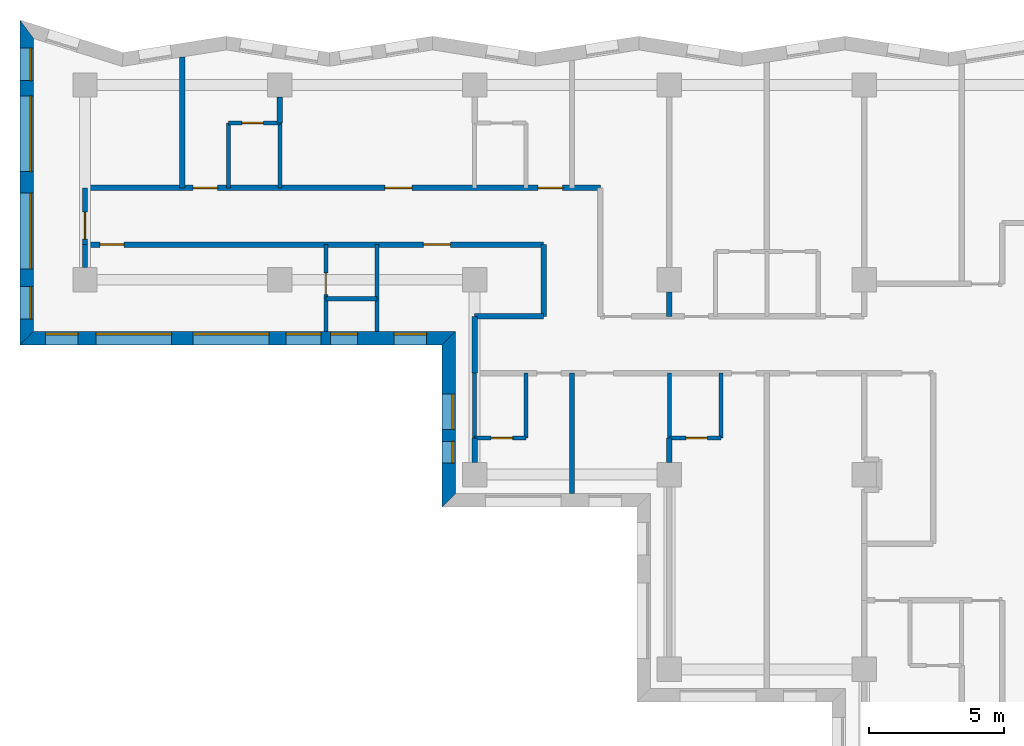
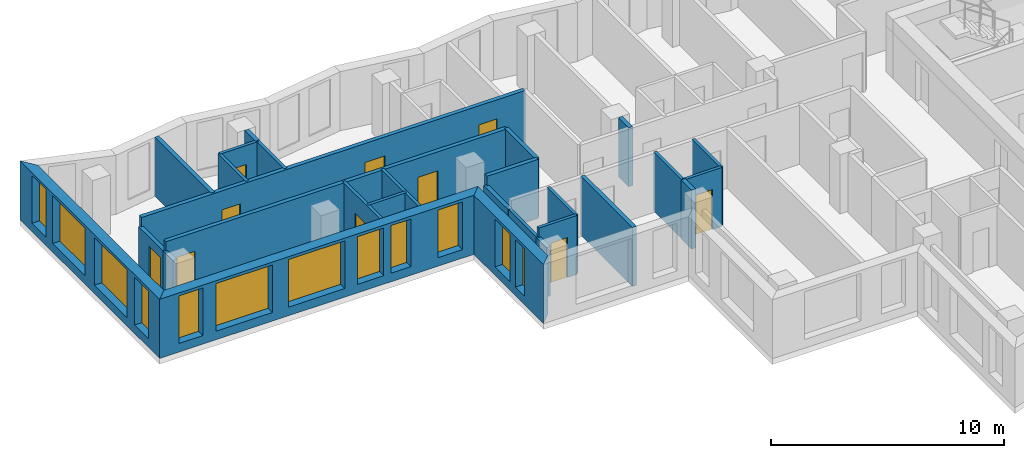
# One storey, part 4 of 12: 28 walls, 12 windows, 10 doors, 22 openings.
"""IFC4 building model written with IfcOpenShell, lengths in metres."""

from ifc_helpers import new_model, si_unit, direction, frame, frame_2d, origin, place, context, subcontext, project, spatial, polyline, rectangle, outline, extrude, material, layer, layer_set, type_object, element, fill, save


model = new_model("IFC4")

# Units and contexts
model_context = context("Model", 3, precision=1e-05, world=origin(), true_north=direction((0.0, 1.0)))
body_context = subcontext(model_context, "Body", "Model", "MODEL_VIEW")
ifc_project = project(units=[si_unit("LENGTHUNIT", "METRE"), si_unit("AREAUNIT", "SQUARE_METRE"), si_unit("VOLUMEUNIT", "CUBIC_METRE"), si_unit("PLANEANGLEUNIT", "RADIAN"), si_unit("MASSUNIT", "GRAM", prefix="KILO")], contexts=[model_context])

# Site, building, storey
site_placement = place(None, origin())
site = spatial("IfcSite", under=ifc_project, at=site_placement, CompositionType="ELEMENT")
building_placement = place(site_placement, origin())
building = spatial("IfcBuilding", under=site, at=building_placement, Name="Windrow Commons", CompositionType="ELEMENT")
storey_placement = place(building_placement, frame((0.0, 0.0, 169.4)))
storey = spatial("IfcBuildingStorey", under=building, at=storey_placement, Name="L46", CompositionType="ELEMENT", Elevation=169.4)

# Wall, openings, windows
ifc_material_1 = material(Name="Brick masonry, red clay brick", Category="masonry")
ifc_layer_1 = layer(ifc_material_1, 0.5)
ifc_layer_set_1 = layer_set([ifc_layer_1], Name="Brick facade wall 500")
wall_type_1 = type_object("IfcWallType", Name="Brick facade wall 500", PredefinedType="SOLIDWALL", material=ifc_layer_set_1)
wall_1_placement = place(storey_placement, frame((19.447, 74.062, 0.0), z_axis=(0.0, 0.0, 1.0), x_axis=(0.0, -1.0, 0.0)))
wall_1 = element("IfcWall", 1, at=wall_1_placement, inside=storey, type_object=wall_type_1, Name="Brick facade wall L46 35", PredefinedType="SOLIDWALL", context=body_context, shape_type="SweptSolid", body=[
    extrude(outline(polyline([(-0.341, -0.25), (11.665, -0.25), (11.165, 0.25), (0.341, 0.25), (-0.341, -0.25)])), origin(), (0.0, 0.0, 1.0), 3.1),
])
opening_1_placement = place(wall_1_placement, frame((2.462, 0.0, 0.45)))
opening_1 = element("IfcOpeningElement", 2, at=opening_1_placement, cuts=wall_1, Name="Opening W1U", PredefinedType="OPENING", context=body_context, shape_type="SweptSolid", body=[
    extrude(rectangle(XDim=2.8, YDim=2.5, at=frame_2d((1.4, 1.25))), frame((0.0, 0.26, 0.0), z_axis=(0.0, -1.0, 0.0), x_axis=(1.0, 0.0, 0.0)), (0.0, 0.0, 1.0), 0.52),
])
opening_2_placement = place(wall_1_placement, frame((6.062, 0.0, 0.45)))
opening_2 = element("IfcOpeningElement", 3, at=opening_2_placement, cuts=wall_1, Name="Opening W1U", PredefinedType="OPENING", context=body_context, shape_type="SweptSolid", body=[
    extrude(rectangle(XDim=2.8, YDim=2.5, at=frame_2d((1.4, 1.25))), frame((0.0, 0.26, 0.0), z_axis=(0.0, -1.0, 0.0), x_axis=(1.0, 0.0, 0.0)), (0.0, 0.0, 1.0), 0.52),
])
opening_3_placement = place(wall_1_placement, frame((0.7015, 0.0, 0.45)))
opening_3 = element("IfcOpeningElement", 4, at=opening_3_placement, cuts=wall_1, Name="Opening W7E", PredefinedType="OPENING", context=body_context, shape_type="SweptSolid", body=[
    extrude(rectangle(XDim=1.2, YDim=2.5, at=frame_2d((0.6, 1.25))), frame((0.0, 0.26, 0.0), z_axis=(0.0, -1.0, 0.0), x_axis=(1.0, 0.0, 0.0)), (0.0, 0.0, 1.0), 0.52),
])
opening_4_placement = place(wall_1_placement, frame((9.5135, 0.0, 0.45)))
opening_4 = element("IfcOpeningElement", 5, at=opening_4_placement, cuts=wall_1, Name="Opening W7E", PredefinedType="OPENING", context=body_context, shape_type="SweptSolid", body=[
    extrude(rectangle(XDim=1.2, YDim=2.5, at=frame_2d((0.6, 1.25))), frame((0.0, 0.26, 0.0), z_axis=(0.0, -1.0, 0.0), x_axis=(1.0, 0.0, 0.0)), (0.0, 0.0, 1.0), 0.52),
])
ifc_material_2 = material(Name="Clear float glass in anodised aluminium frame", Category="aluminium")
window_type_1 = type_object("IfcWindowType", Name="Window W1U bedroom 2800x2500", PartitioningType="SINGLE_PANEL", PredefinedType="WINDOW", material=ifc_material_2)
window_1_placement = place(opening_1_placement, origin())
window_1 = element("IfcWindow", 6, at=window_1_placement, inside=storey, type_object=window_type_1, Name="Window L46 35.1", OverallHeight=2.5, OverallWidth=2.8, PartitioningType="SINGLE_PANEL", PredefinedType="WINDOW", context=body_context, shape_type="SweptSolid", body=[
    extrude(rectangle(XDim=2.8, YDim=2.5, at=frame_2d((1.4, 1.25))), frame((0.0, 0.18, 0.0), z_axis=(0.0, -1.0, 0.0), x_axis=(1.0, 0.0, 0.0)), (0.0, 0.0, 1.0), 0.06),
])
fill(opening_1, window_1)
window_2_placement = place(opening_2_placement, origin())
window_2 = element("IfcWindow", 7, at=window_2_placement, inside=storey, type_object=window_type_1, Name="Window L46 35.2", OverallHeight=2.5, OverallWidth=2.8, PartitioningType="SINGLE_PANEL", PredefinedType="WINDOW", context=body_context, shape_type="SweptSolid", body=[
    extrude(rectangle(XDim=2.8, YDim=2.5, at=frame_2d((1.4, 1.25))), frame((0.0, 0.18, 0.0), z_axis=(0.0, -1.0, 0.0), x_axis=(1.0, 0.0, 0.0)), (0.0, 0.0, 1.0), 0.06),
])
fill(opening_2, window_2)
ifc_material_3 = material(Name="Clear float glass in anodised aluminium frame", Category="aluminium")
window_type_2 = type_object("IfcWindowType", Name="Window W7 notch 1200x2500", PartitioningType="SINGLE_PANEL", PredefinedType="WINDOW", material=ifc_material_3)
window_3_placement = place(opening_3_placement, origin())
window_3 = element("IfcWindow", 8, at=window_3_placement, inside=storey, type_object=window_type_2, Name="Window L46 35.3", OverallHeight=2.5, OverallWidth=1.2, PartitioningType="SINGLE_PANEL", PredefinedType="WINDOW", context=body_context, shape_type="SweptSolid", body=[
    extrude(rectangle(XDim=1.2, YDim=2.5, at=frame_2d((0.6, 1.25))), frame((0.0, 0.18, 0.0), z_axis=(0.0, -1.0, 0.0), x_axis=(1.0, 0.0, 0.0)), (0.0, 0.0, 1.0), 0.06),
])
fill(opening_3, window_3)
window_4_placement = place(opening_4_placement, origin())
window_4 = element("IfcWindow", 9, at=window_4_placement, inside=storey, type_object=window_type_2, Name="Window L46 35.4", OverallHeight=2.5, OverallWidth=1.2, PartitioningType="SINGLE_PANEL", PredefinedType="WINDOW", context=body_context, shape_type="SweptSolid", body=[
    extrude(rectangle(XDim=1.2, YDim=2.5, at=frame_2d((0.6, 1.25))), frame((0.0, 0.18, 0.0), z_axis=(0.0, -1.0, 0.0), x_axis=(1.0, 0.0, 0.0)), (0.0, 0.0, 1.0), 0.06),
])
fill(opening_4, window_4)

wall_2_placement = place(storey_placement, frame((19.447, 62.647, 0.0), z_axis=(0.0, 0.0, 1.0), x_axis=(1.0, 0.0, 0.0)))
wall_2 = element("IfcWall", 10, at=wall_2_placement, inside=storey, type_object=wall_type_1, Name="Brick facade wall L46 36", PredefinedType="SOLIDWALL", context=body_context, shape_type="SweptSolid", body=[
    extrude(outline(polyline([(-0.25, -0.25), (15.353, -0.25), (15.853, 0.25), (0.25, 0.25), (-0.25, -0.25)])), origin(), (0.0, 0.0, 1.0), 3.1),
])
opening_5_placement = place(wall_2_placement, frame((2.553, 0.0, 0.45)))
opening_5 = element("IfcOpeningElement", 11, at=opening_5_placement, cuts=wall_2, Name="Opening W1U", PredefinedType="OPENING", context=body_context, shape_type="SweptSolid", body=[
    extrude(rectangle(XDim=2.8, YDim=2.5, at=frame_2d((1.4, 1.25))), frame((0.0, 0.26, 0.0), z_axis=(0.0, -1.0, 0.0), x_axis=(1.0, 0.0, 0.0)), (0.0, 0.0, 1.0), 0.52),
])
opening_6_placement = place(wall_2_placement, frame((6.153, 0.0, 0.45)))
opening_6 = element("IfcOpeningElement", 12, at=opening_6_placement, cuts=wall_2, Name="Opening W1U", PredefinedType="OPENING", context=body_context, shape_type="SweptSolid", body=[
    extrude(rectangle(XDim=2.8, YDim=2.5, at=frame_2d((1.4, 1.25))), frame((0.0, 0.26, 0.0), z_axis=(0.0, -1.0, 0.0), x_axis=(1.0, 0.0, 0.0)), (0.0, 0.0, 1.0), 0.52),
])
opening_7_placement = place(wall_2_placement, frame((0.7015, 0.0, 0.45)))
opening_7 = element("IfcOpeningElement", 13, at=opening_7_placement, cuts=wall_2, Name="Opening W7E", PredefinedType="OPENING", context=body_context, shape_type="SweptSolid", body=[
    extrude(rectangle(XDim=1.2, YDim=2.5, at=frame_2d((0.6, 1.25))), frame((0.0, 0.26, 0.0), z_axis=(0.0, -1.0, 0.0), x_axis=(1.0, 0.0, 0.0)), (0.0, 0.0, 1.0), 0.52),
])
opening_8_placement = place(wall_2_placement, frame((13.578, 0.0, 0.45)))
opening_8 = element("IfcOpeningElement", 14, at=opening_8_placement, cuts=wall_2, Name="Opening W7E", PredefinedType="OPENING", context=body_context, shape_type="SweptSolid", body=[
    extrude(rectangle(XDim=1.2, YDim=2.5, at=frame_2d((0.6, 1.25))), frame((0.0, 0.26, 0.0), z_axis=(0.0, -1.0, 0.0), x_axis=(1.0, 0.0, 0.0)), (0.0, 0.0, 1.0), 0.52),
])
opening_9_placement = place(wall_2_placement, frame((9.578, 0.0, 0.45)))
opening_9 = element("IfcOpeningElement", 15, at=opening_9_placement, cuts=wall_2, Name="Opening W1Q", PredefinedType="OPENING", context=body_context, shape_type="SweptSolid", body=[
    extrude(rectangle(XDim=1.3, YDim=2.5, at=frame_2d((0.65, 1.25))), frame((0.0, 0.26, 0.0), z_axis=(0.0, -1.0, 0.0), x_axis=(1.0, 0.0, 0.0)), (0.0, 0.0, 1.0), 0.52),
])
opening_10_placement = place(wall_2_placement, frame((11.228, 0.0, 0.45)))
opening_10 = element("IfcOpeningElement", 16, at=opening_10_placement, cuts=wall_2, Name="Opening W1S", PredefinedType="OPENING", context=body_context, shape_type="SweptSolid", body=[
    extrude(rectangle(XDim=1.0, YDim=2.5, at=frame_2d((0.5, 1.25))), frame((0.0, 0.26, 0.0), z_axis=(0.0, -1.0, 0.0), x_axis=(1.0, 0.0, 0.0)), (0.0, 0.0, 1.0), 0.52),
])
ifc_material_4 = material(Name="Clear float glass in anodised aluminium frame", Category="aluminium")
window_type_3 = type_object("IfcWindowType", Name="Window W1Q pair 1300x2500", PartitioningType="SINGLE_PANEL", PredefinedType="WINDOW", material=ifc_material_4)
window_5_placement = place(opening_9_placement, origin())
window_5 = element("IfcWindow", 17, at=window_5_placement, inside=storey, type_object=window_type_3, Name="Window L46 36.3A", OverallHeight=2.5, OverallWidth=1.3, PartitioningType="SINGLE_PANEL", PredefinedType="WINDOW", context=body_context, shape_type="SweptSolid", body=[
    extrude(rectangle(XDim=1.3, YDim=2.5, at=frame_2d((0.65, 1.25))), frame((0.0, 0.18, 0.0), z_axis=(0.0, -1.0, 0.0), x_axis=(1.0, 0.0, 0.0)), (0.0, 0.0, 1.0), 0.06),
])
fill(opening_9, window_5)
ifc_material_5 = material(Name="Clear float glass in anodised aluminium frame", Category="aluminium")
window_type_4 = type_object("IfcWindowType", Name="Window W1S slit 1000x2500", PartitioningType="SINGLE_PANEL", PredefinedType="WINDOW", material=ifc_material_5)
window_6_placement = place(opening_10_placement, origin())
window_6 = element("IfcWindow", 18, at=window_6_placement, inside=storey, type_object=window_type_4, Name="Window L46 36.3B", OverallHeight=2.5, OverallWidth=1.0, PartitioningType="SINGLE_PANEL", PredefinedType="WINDOW", context=body_context, shape_type="SweptSolid", body=[
    extrude(rectangle(XDim=1.0, YDim=2.5, at=frame_2d((0.5, 1.25))), frame((0.0, 0.18, 0.0), z_axis=(0.0, -1.0, 0.0), x_axis=(1.0, 0.0, 0.0)), (0.0, 0.0, 1.0), 0.06),
])
fill(opening_10, window_6)
window_7_placement = place(opening_5_placement, origin())
window_7 = element("IfcWindow", 19, at=window_7_placement, inside=storey, type_object=window_type_1, Name="Window L46 36.1", OverallHeight=2.5, OverallWidth=2.8, PartitioningType="SINGLE_PANEL", PredefinedType="WINDOW", context=body_context, shape_type="SweptSolid", body=[
    extrude(rectangle(XDim=2.8, YDim=2.5, at=frame_2d((1.4, 1.25))), frame((0.0, 0.18, 0.0), z_axis=(0.0, -1.0, 0.0), x_axis=(1.0, 0.0, 0.0)), (0.0, 0.0, 1.0), 0.06),
])
fill(opening_5, window_7)
window_8_placement = place(opening_6_placement, origin())
window_8 = element("IfcWindow", 20, at=window_8_placement, inside=storey, type_object=window_type_1, Name="Window L46 36.2", OverallHeight=2.5, OverallWidth=2.8, PartitioningType="SINGLE_PANEL", PredefinedType="WINDOW", context=body_context, shape_type="SweptSolid", body=[
    extrude(rectangle(XDim=2.8, YDim=2.5, at=frame_2d((1.4, 1.25))), frame((0.0, 0.18, 0.0), z_axis=(0.0, -1.0, 0.0), x_axis=(1.0, 0.0, 0.0)), (0.0, 0.0, 1.0), 0.06),
])
fill(opening_6, window_8)
window_9_placement = place(opening_7_placement, origin())
window_9 = element("IfcWindow", 21, at=window_9_placement, inside=storey, type_object=window_type_2, Name="Window L46 36.4", OverallHeight=2.5, OverallWidth=1.2, PartitioningType="SINGLE_PANEL", PredefinedType="WINDOW", context=body_context, shape_type="SweptSolid", body=[
    extrude(rectangle(XDim=1.2, YDim=2.5, at=frame_2d((0.6, 1.25))), frame((0.0, 0.18, 0.0), z_axis=(0.0, -1.0, 0.0), x_axis=(1.0, 0.0, 0.0)), (0.0, 0.0, 1.0), 0.06),
])
fill(opening_7, window_9)
window_10_placement = place(opening_8_placement, origin())
window_10 = element("IfcWindow", 22, at=window_10_placement, inside=storey, type_object=window_type_2, Name="Window L46 36.5", OverallHeight=2.5, OverallWidth=1.2, PartitioningType="SINGLE_PANEL", PredefinedType="WINDOW", context=body_context, shape_type="SweptSolid", body=[
    extrude(rectangle(XDim=1.2, YDim=2.5, at=frame_2d((0.6, 1.25))), frame((0.0, 0.18, 0.0), z_axis=(0.0, -1.0, 0.0), x_axis=(1.0, 0.0, 0.0)), (0.0, 0.0, 1.0), 0.06),
])
fill(opening_8, window_10)

wall_3_placement = place(storey_placement, frame((35.05, 62.647, 0.0), z_axis=(0.0, 0.0, 1.0), x_axis=(0.0, -1.0, 0.0)))
wall_3 = element("IfcWall", 23, at=wall_3_placement, inside=storey, type_object=wall_type_1, Name="Brick facade wall L46 37", PredefinedType="SOLIDWALL", context=body_context, shape_type="SweptSolid", body=[
    extrude(outline(polyline([(0.25, -0.25), (6.247, -0.25), (5.747, 0.25), (-0.25, 0.25), (0.25, -0.25)])), origin(), (0.0, 0.0, 1.0), 3.1),
])
opening_11_placement = place(wall_3_placement, frame((2.072, 0.0, 0.45)))
opening_11 = element("IfcOpeningElement", 24, at=opening_11_placement, cuts=wall_3, Name="Opening W1Q", PredefinedType="OPENING", context=body_context, shape_type="SweptSolid", body=[
    extrude(rectangle(XDim=1.3, YDim=2.5, at=frame_2d((0.65, 1.25))), frame((0.0, 0.26, 0.0), z_axis=(0.0, -1.0, 0.0), x_axis=(1.0, 0.0, 0.0)), (0.0, 0.0, 1.0), 0.52),
])
opening_12_placement = place(wall_3_placement, frame((3.822, 0.0, 0.45)))
opening_12 = element("IfcOpeningElement", 25, at=opening_12_placement, cuts=wall_3, Name="Opening W1N", PredefinedType="OPENING", context=body_context, shape_type="SweptSolid", body=[
    extrude(rectangle(XDim=0.8, YDim=2.5, at=frame_2d((0.4, 1.25))), frame((0.0, 0.26, 0.0), z_axis=(0.0, -1.0, 0.0), x_axis=(1.0, 0.0, 0.0)), (0.0, 0.0, 1.0), 0.52),
])
ifc_material_6 = material(Name="Clear float glass in anodised aluminium frame", Category="aluminium")
window_type_5 = type_object("IfcWindowType", Name="Window W1N slit 800x2500", PartitioningType="SINGLE_PANEL", PredefinedType="WINDOW", material=ifc_material_6)
window_11_placement = place(opening_12_placement, origin())
window_11 = element("IfcWindow", 26, at=window_11_placement, inside=storey, type_object=window_type_5, Name="Window L46 37.1B", OverallHeight=2.5, OverallWidth=0.8, PartitioningType="SINGLE_PANEL", PredefinedType="WINDOW", context=body_context, shape_type="SweptSolid", body=[
    extrude(rectangle(XDim=0.8, YDim=2.5, at=frame_2d((0.4, 1.25))), frame((0.0, 0.18, 0.0), z_axis=(0.0, -1.0, 0.0), x_axis=(1.0, 0.0, 0.0)), (0.0, 0.0, 1.0), 0.06),
])
fill(opening_12, window_11)
window_12_placement = place(opening_11_placement, origin())
window_12 = element("IfcWindow", 27, at=window_12_placement, inside=storey, type_object=window_type_3, Name="Window L46 37.1A", OverallHeight=2.5, OverallWidth=1.3, PartitioningType="SINGLE_PANEL", PredefinedType="WINDOW", context=body_context, shape_type="SweptSolid", body=[
    extrude(rectangle(XDim=1.3, YDim=2.5, at=frame_2d((0.65, 1.25))), frame((0.0, 0.18, 0.0), z_axis=(0.0, -1.0, 0.0), x_axis=(1.0, 0.0, 0.0)), (0.0, 0.0, 1.0), 0.06),
])
fill(opening_11, window_12)

# Wall, openings, doors
ifc_material_7 = material(Name="Blockwork partition", Category="masonry")
ifc_layer_2 = layer(ifc_material_7, 0.2)
ifc_layer_set_2 = layer_set([ifc_layer_2], Name="IW-CORRIDOR-200")
wall_type_2 = type_object("IfcWallType", Name="IW-CORRIDOR-200", PredefinedType="PARTITIONING", material=ifc_layer_set_2)
wall_4_placement = place(storey_placement, frame((21.602, 68.2, 0.0), z_axis=(0.0, 0.0, 1.0), x_axis=(1.0, 0.0, 0.0)))
wall_4 = element("IfcWall", 28, at=wall_4_placement, inside=storey, type_object=wall_type_2, Name="W-L46-W000", PredefinedType="PARTITIONING", context=body_context, shape_type="SweptSolid", body=[
    extrude(rectangle(XDim=19.048, YDim=0.2, at=frame_2d((9.524, 0.0))), origin(), (0.0, 0.0, 1.0), 3.1),
])
opening_13_placement = place(wall_4_placement, frame((3.998, 0.0, 0.0)))
opening_13 = element("IfcOpeningElement", 29, at=opening_13_placement, cuts=wall_4, Name="Opening D109S", PredefinedType="OPENING", context=body_context, shape_type="SweptSolid", body=[
    extrude(rectangle(XDim=0.9, YDim=2.1, at=frame_2d((0.45, 1.05))), frame((0.0, 0.11, 0.0), z_axis=(0.0, -1.0, 0.0), x_axis=(1.0, 0.0, 0.0)), (0.0, 0.0, 1.0), 0.22),
])
opening_14_placement = place(wall_4_placement, frame((11.0842, 0.0, 0.0)))
opening_14 = element("IfcOpeningElement", 30, at=opening_14_placement, cuts=wall_4, Name="Opening D310F", PredefinedType="OPENING", context=body_context, shape_type="SweptSolid", body=[
    extrude(rectangle(XDim=1.0, YDim=2.1, at=frame_2d((0.5, 1.05))), frame((0.0, 0.11, 0.0), z_axis=(0.0, -1.0, 0.0), x_axis=(1.0, 0.0, 0.0)), (0.0, 0.0, 1.0), 0.22),
])
opening_15_placement = place(wall_4_placement, frame((16.748, 0.0, 0.0)))
opening_15 = element("IfcOpeningElement", 31, at=opening_15_placement, cuts=wall_4, Name="Opening D109S", PredefinedType="OPENING", context=body_context, shape_type="SweptSolid", body=[
    extrude(rectangle(XDim=0.9, YDim=2.1, at=frame_2d((0.45, 1.05))), frame((0.0, 0.11, 0.0), z_axis=(0.0, -1.0, 0.0), x_axis=(1.0, 0.0, 0.0)), (0.0, 0.0, 1.0), 0.22),
])
ifc_material_8 = material(Name="Timber door leaf", Category="wood")
door_type_1 = type_object("IfcDoorType", Name="DT-AMENITY-1000", OperationType="SINGLE_SWING_LEFT", PredefinedType="DOOR", material=ifc_material_8)
door_1_placement = place(opening_14_placement, origin())
door_1 = element("IfcDoor", 32, at=door_1_placement, inside=storey, type_object=door_type_1, Name="D-L46-D007", OperationType="SINGLE_SWING_RIGHT", OverallHeight=2.1, OverallWidth=1.0, PredefinedType="DOOR", context=body_context, shape_type="SweptSolid", body=[
    extrude(rectangle(XDim=1.0, YDim=2.1, at=frame_2d((0.5, 1.05))), frame((0.0, 0.025, 0.0), z_axis=(0.0, -1.0, 0.0), x_axis=(1.0, 0.0, 0.0)), (0.0, 0.0, 1.0), 0.05),
])
fill(opening_14, door_1)
ifc_material_9 = material(Name="Timber door leaf", Category="wood")
door_type_2 = type_object("IfcDoorType", Name="DT-BEDROOM-900", OperationType="SINGLE_SWING_LEFT", PredefinedType="DOOR", material=ifc_material_9)
door_2_placement = place(opening_13_placement, origin())
door_2 = element("IfcDoor", 33, at=door_2_placement, inside=storey, type_object=door_type_2, Name="D-L46-D005", OperationType="SINGLE_SWING_LEFT", OverallHeight=2.1, OverallWidth=0.9, PredefinedType="DOOR", context=body_context, shape_type="SweptSolid", body=[
    extrude(rectangle(XDim=0.9, YDim=2.1, at=frame_2d((0.45, 1.05))), frame((0.0, 0.025, 0.0), z_axis=(0.0, -1.0, 0.0), x_axis=(1.0, 0.0, 0.0)), (0.0, 0.0, 1.0), 0.05),
])
fill(opening_13, door_2)
door_3_placement = place(opening_15_placement, origin())
door_3 = element("IfcDoor", 34, at=door_3_placement, inside=storey, type_object=door_type_2, Name="D-L46-D008", OperationType="SINGLE_SWING_RIGHT", OverallHeight=2.1, OverallWidth=0.9, PredefinedType="DOOR", context=body_context, shape_type="SweptSolid", body=[
    extrude(rectangle(XDim=0.9, YDim=2.1, at=frame_2d((0.45, 1.05))), frame((0.0, 0.025, 0.0), z_axis=(0.0, -1.0, 0.0), x_axis=(1.0, 0.0, 0.0)), (0.0, 0.0, 1.0), 0.05),
])
fill(opening_15, door_3)

wall_5_placement = place(storey_placement, frame((21.6, 66.1, 0.0), z_axis=(0.0, 0.0, 1.0), x_axis=(1.0, 0.0, 0.0)))
wall_5 = element("IfcWall", 35, at=wall_5_placement, inside=storey, type_object=wall_type_2, Name="W-L46-W004", PredefinedType="PARTITIONING", context=body_context, shape_type="SweptSolid", body=[
    extrude(rectangle(XDim=16.95, YDim=0.2, at=frame_2d((8.475, 0.0))), origin(), (0.0, 0.0, 1.0), 3.1),
])
opening_16_placement = place(wall_5_placement, frame((0.5458, 0.0, 0.0)))
opening_16 = element("IfcOpeningElement", 36, at=opening_16_placement, cuts=wall_5, Name="Opening D109S", PredefinedType="OPENING", context=body_context, shape_type="SweptSolid", body=[
    extrude(rectangle(XDim=0.9, YDim=2.1, at=frame_2d((0.45, 1.05))), frame((0.0, 0.11, 0.0), z_axis=(0.0, -1.0, 0.0), x_axis=(1.0, 0.0, 0.0)), (0.0, 0.0, 1.0), 0.22),
])
opening_17_placement = place(wall_5_placement, frame((12.5016, 0.0, 0.0)))
opening_17 = element("IfcOpeningElement", 37, at=opening_17_placement, cuts=wall_5, Name="Opening D310F", PredefinedType="OPENING", context=body_context, shape_type="SweptSolid", body=[
    extrude(rectangle(XDim=1.0, YDim=2.1, at=frame_2d((0.5, 1.05))), frame((0.0, 0.11, 0.0), z_axis=(0.0, -1.0, 0.0), x_axis=(1.0, 0.0, 0.0)), (0.0, 0.0, 1.0), 0.22),
])
door_4_placement = place(opening_17_placement, origin())
door_4 = element("IfcDoor", 38, at=door_4_placement, inside=storey, type_object=door_type_1, Name="D-L46-D010", OperationType="SINGLE_SWING_RIGHT", OverallHeight=2.1, OverallWidth=1.0, PredefinedType="DOOR", context=body_context, shape_type="SweptSolid", body=[
    extrude(rectangle(XDim=1.0, YDim=2.1, at=frame_2d((0.5, 1.05))), frame((0.0, 0.025, 0.0), z_axis=(0.0, -1.0, 0.0), x_axis=(1.0, 0.0, 0.0)), (0.0, 0.0, 1.0), 0.05),
])
fill(opening_17, door_4)
door_5_placement = place(opening_16_placement, origin())
door_5 = element("IfcDoor", 39, at=door_5_placement, inside=storey, type_object=door_type_2, Name="D-L46-D003", OperationType="SINGLE_SWING_LEFT", OverallHeight=2.1, OverallWidth=0.9, PredefinedType="DOOR", context=body_context, shape_type="SweptSolid", body=[
    extrude(rectangle(XDim=0.9, YDim=2.1, at=frame_2d((0.45, 1.05))), frame((0.0, 0.025, 0.0), z_axis=(0.0, -1.0, 0.0), x_axis=(1.0, 0.0, 0.0)), (0.0, 0.0, 1.0), 0.05),
])
fill(opening_16, door_5)

# Walls
wall_6_placement = place(storey_placement, frame((38.55, 63.452, 0.0), z_axis=(0.0, 0.0, 1.0), x_axis=(0.0, 1.0, 0.0)))
element("IfcWall", 40, at=wall_6_placement, inside=storey, type_object=wall_type_2, Name="W-L46-W063", PredefinedType="PARTITIONING", context=body_context, shape_type="SweptSolid", body=[
    extrude(rectangle(XDim=2.646, YDim=0.2, at=frame_2d((1.323, 0.0))), origin(), (0.0, 0.0, 1.0), 3.1),
])
wall_7_placement = place(storey_placement, frame((36.002, 63.45, 0.0), z_axis=(0.0, 0.0, 1.0), x_axis=(1.0, 0.0, 0.0)))
element("IfcWall", 41, at=wall_7_placement, inside=storey, type_object=wall_type_2, Name="W-L46-W066", PredefinedType="PARTITIONING", context=body_context, shape_type="SweptSolid", body=[
    extrude(rectangle(XDim=2.548, YDim=0.2, at=frame_2d((1.274, 0.0))), origin(), (0.0, 0.0, 1.0), 3.1),
])
wall_8_placement = place(storey_placement, frame((36.0, 61.35, 0.0), z_axis=(0.0, 0.0, 1.0), x_axis=(0.0, 1.0, 0.0)))
element("IfcWall", 42, at=wall_8_placement, inside=storey, type_object=wall_type_2, Name="W-L46-W110", PredefinedType="PARTITIONING", context=body_context, shape_type="SweptSolid", body=[
    extrude(rectangle(XDim=2.1, YDim=0.2, at=frame_2d((1.05, 0.0))), origin(), (0.0, 0.0, 1.0), 2.6),
])

# Wall, opening, door
wall_9_placement = place(storey_placement, frame((21.6, 66.1, 0.0), z_axis=(0.0, 0.0, 1.0), x_axis=(0.0, 1.0, 0.0)))
wall_9 = element("IfcWall", 43, at=wall_9_placement, inside=storey, type_object=wall_type_2, Name="W-L46-W114", PredefinedType="PARTITIONING", context=body_context, shape_type="SweptSolid", body=[
    extrude(rectangle(XDim=2.098, YDim=0.2, at=frame_2d((1.049, 0.0))), origin(), (0.0, 0.0, 1.0), 2.6),
])
opening_18_placement = place(wall_9_placement, frame((0.2057, 0.0, 0.0)))
opening_18 = element("IfcOpeningElement", 44, at=opening_18_placement, cuts=wall_9, Name="Opening D310F", PredefinedType="OPENING", context=body_context, shape_type="SweptSolid", body=[
    extrude(rectangle(XDim=1.0, YDim=2.1, at=frame_2d((0.5, 1.05))), frame((0.0, 0.11, 0.0), z_axis=(0.0, -1.0, 0.0), x_axis=(1.0, 0.0, 0.0)), (0.0, 0.0, 1.0), 0.22),
])
door_6_placement = place(opening_18_placement, origin())
door_6 = element("IfcDoor", 45, at=door_6_placement, inside=storey, type_object=door_type_1, Name="D-L46-D002", OperationType="SINGLE_SWING_RIGHT", OverallHeight=2.1, OverallWidth=1.0, PredefinedType="DOOR", context=body_context, shape_type="SweptSolid", body=[
    extrude(rectangle(XDim=1.0, YDim=2.1, at=frame_2d((0.5, 1.05))), frame((0.0, 0.025, 0.0), z_axis=(0.0, -1.0, 0.0), x_axis=(1.0, 0.0, 0.0)), (0.0, 0.0, 1.0), 0.05),
])
fill(opening_18, door_6)

# Wall
ifc_material_10 = material(Name="Blockwork partition", Category="masonry")
ifc_layer_3 = layer(ifc_material_10, 0.15)
ifc_layer_set_3 = layer_set([ifc_layer_3], Name="IW-ENSUITE-150")
wall_type_3 = type_object("IfcWallType", Name="IW-ENSUITE-150", PredefinedType="PARTITIONING", material=ifc_layer_set_3)
wall_10_placement = place(storey_placement, frame((32.4, 62.897, 0.0), z_axis=(0.0, 0.0, 1.0), x_axis=(0.0, 1.0, 0.0)))
element("IfcWall", 46, at=wall_10_placement, inside=storey, type_object=wall_type_3, Name="W-L46-W060", PredefinedType="PARTITIONING", context=body_context, shape_type="SweptSolid", body=[
    extrude(rectangle(XDim=3.203, YDim=0.15, at=frame_2d((1.6015, 0.0))), origin(), (0.0, 0.0, 1.0), 3.1),
])

# Wall, opening, door
wall_11_placement = place(storey_placement, frame((30.5, 62.897, 0.0), z_axis=(0.0, 0.0, 1.0), x_axis=(0.0, 1.0, 0.0)))
wall_11 = element("IfcWall", 47, at=wall_11_placement, inside=storey, type_object=wall_type_3, Name="W-L46-W061", PredefinedType="PARTITIONING", context=body_context, shape_type="SweptSolid", body=[
    extrude(rectangle(XDim=3.203, YDim=0.15, at=frame_2d((1.6015, 0.0))), origin(), (0.0, 0.0, 1.0), 3.1),
])
opening_19_placement = place(wall_11_placement, frame((1.359, 0.0, 0.0)))
opening_19 = element("IfcOpeningElement", 48, at=opening_19_placement, cuts=wall_11, Name="Opening D208N", PredefinedType="OPENING", context=body_context, shape_type="SweptSolid", body=[
    extrude(rectangle(XDim=0.8, YDim=2.1, at=frame_2d((0.4, 1.05))), frame((0.0, 0.085, 0.0), z_axis=(0.0, -1.0, 0.0), x_axis=(1.0, 0.0, 0.0)), (0.0, 0.0, 1.0), 0.17),
])
ifc_material_11 = material(Name="Timber door leaf", Category="wood")
door_type_3 = type_object("IfcDoorType", Name="DT-ENSUITE-800", OperationType="SINGLE_SWING_LEFT", PredefinedType="DOOR", material=ifc_material_11)
door_7_placement = place(opening_19_placement, origin())
door_7 = element("IfcDoor", 49, at=door_7_placement, inside=storey, type_object=door_type_3, Name="D-L46-D004", OperationType="SINGLE_SWING_RIGHT", OverallHeight=2.1, OverallWidth=0.8, PredefinedType="DOOR", context=body_context, shape_type="SweptSolid", body=[
    extrude(rectangle(XDim=0.8, YDim=2.1, at=frame_2d((0.4, 1.05))), frame((0.0, 0.025, 0.0), z_axis=(0.0, -1.0, 0.0), x_axis=(1.0, 0.0, 0.0)), (0.0, 0.0, 1.0), 0.05),
])
fill(opening_19, door_7)

# Walls
wall_12_placement = place(storey_placement, frame((37.9, 58.95, 0.0), z_axis=(0.0, 0.0, 1.0), x_axis=(0.0, 1.0, 0.0)))
element("IfcWall", 50, at=wall_12_placement, inside=storey, type_object=wall_type_3, Name="W-L46-W073", PredefinedType="PARTITIONING", context=body_context, shape_type="SweptSolid", body=[
    extrude(rectangle(XDim=2.4, YDim=0.15, at=frame_2d((1.2, 0.0))), origin(), (0.0, 0.0, 1.0), 3.1),
])
wall_13_placement = place(storey_placement, frame((36.0, 58.95, 0.0), z_axis=(0.0, 0.0, 1.0), x_axis=(0.0, 1.0, 0.0)))
element("IfcWall", 51, at=wall_13_placement, inside=storey, type_object=wall_type_3, Name="W-L46-W074", PredefinedType="PARTITIONING", context=body_context, shape_type="SweptSolid", body=[
    extrude(rectangle(XDim=2.4, YDim=0.15, at=frame_2d((1.2, 0.0))), origin(), (0.0, 0.0, 1.0), 2.6),
])
for number, where, z_axis, x_axis, name in (
    (52, (45.1, 58.95, 0.0), (0.0, 0.0, 1.0), (0.0, 1.0, 0.0), "W-L46-W075"),
    (53, (43.2, 58.95, 0.0), (0.0, 0.0, 1.0), (0.0, 1.0, 0.0), "W-L46-W076"),
    (54, (26.9, 68.2, 0.0), (0.0, 0.0, 1.0), (0.0, 1.0, 0.0), "W-L46-W079"),
    (55, (28.8, 68.2, 0.0), (0.0, 0.0, 1.0), (0.0, 1.0, 0.0), "W-L46-W080"),
):
    element("IfcWall", number, at=place(storey_placement, frame(where, z_axis=z_axis, x_axis=x_axis)), inside=storey, type_object=wall_type_3, Name=name, PredefinedType="PARTITIONING", context=body_context, shape_type="SweptSolid", body=[
        extrude(rectangle(XDim=2.4, YDim=0.15, at=frame_2d((1.2, 0.0))), origin(), (0.0, 0.0, 1.0), 3.1),
    ])

# Wall, opening, door
wall_14_placement = place(storey_placement, frame((26.9, 70.6, 0.0), z_axis=(0.0, 0.0, 1.0), x_axis=(1.0, 0.0, 0.0)))
wall_14 = element("IfcWall", 56, at=wall_14_placement, inside=storey, type_object=wall_type_3, Name="W-L46-W118", PredefinedType="PARTITIONING", context=body_context, shape_type="SweptSolid", body=[
    extrude(rectangle(XDim=1.9, YDim=0.15, at=frame_2d((0.95, 0.0))), origin(), (0.0, 0.0, 1.0), 3.1),
])
opening_20_placement = place(wall_14_placement, frame((0.4931, 0.0, 0.0)))
opening_20 = element("IfcOpeningElement", 57, at=opening_20_placement, cuts=wall_14, Name="Opening D208N", PredefinedType="OPENING", context=body_context, shape_type="SweptSolid", body=[
    extrude(rectangle(XDim=0.8, YDim=2.1, at=frame_2d((0.4, 1.05))), frame((0.0, 0.085, 0.0), z_axis=(0.0, -1.0, 0.0), x_axis=(1.0, 0.0, 0.0)), (0.0, 0.0, 1.0), 0.17),
])
door_8_placement = place(opening_20_placement, origin())
door_8 = element("IfcDoor", 58, at=door_8_placement, inside=storey, type_object=door_type_3, Name="D-L46-D006", OperationType="SINGLE_SWING_RIGHT", OverallHeight=2.1, OverallWidth=0.8, PredefinedType="DOOR", context=body_context, shape_type="SweptSolid", body=[
    extrude(rectangle(XDim=0.8, YDim=2.1, at=frame_2d((0.4, 1.05))), frame((0.0, 0.025, 0.0), z_axis=(0.0, -1.0, 0.0), x_axis=(1.0, 0.0, 0.0)), (0.0, 0.0, 1.0), 0.05),
])
fill(opening_20, door_8)

# Wall
wall_15_placement = place(storey_placement, frame((30.5, 64.1, 0.0), z_axis=(0.0, 0.0, 1.0), x_axis=(1.0, 0.0, 0.0)))
element("IfcWall", 59, at=wall_15_placement, inside=storey, type_object=wall_type_3, Name="W-L46-W120", PredefinedType="PARTITIONING", context=body_context, shape_type="SweptSolid", body=[
    extrude(rectangle(XDim=1.9, YDim=0.15, at=frame_2d((0.95, 0.0))), origin(), (0.0, 0.0, 1.0), 3.1),
])

# Wall, opening, door
wall_16_placement = place(storey_placement, frame((36.0, 58.95, 0.0), z_axis=(0.0, 0.0, 1.0), x_axis=(1.0, 0.0, 0.0)))
wall_16 = element("IfcWall", 60, at=wall_16_placement, inside=storey, type_object=wall_type_3, Name="W-L46-W121", PredefinedType="PARTITIONING", context=body_context, shape_type="SweptSolid", body=[
    extrude(rectangle(XDim=1.9, YDim=0.15, at=frame_2d((0.95, 0.0))), origin(), (0.0, 0.0, 1.0), 3.1),
])
opening_21_placement = place(wall_16_placement, frame((0.6069, 0.0, 0.0)))
opening_21 = element("IfcOpeningElement", 61, at=opening_21_placement, cuts=wall_16, Name="Opening D208N", PredefinedType="OPENING", context=body_context, shape_type="SweptSolid", body=[
    extrude(rectangle(XDim=0.8, YDim=2.1, at=frame_2d((0.4, 1.05))), frame((0.0, 0.085, 0.0), z_axis=(0.0, -1.0, 0.0), x_axis=(1.0, 0.0, 0.0)), (0.0, 0.0, 1.0), 0.17),
])
door_9_placement = place(opening_21_placement, origin())
door_9 = element("IfcDoor", 62, at=door_9_placement, inside=storey, type_object=door_type_3, Name="D-L46-D012", OperationType="SINGLE_SWING_RIGHT", OverallHeight=2.1, OverallWidth=0.8, PredefinedType="DOOR", context=body_context, shape_type="SweptSolid", body=[
    extrude(rectangle(XDim=0.8, YDim=2.1, at=frame_2d((0.4, 1.05))), frame((0.0, 0.025, 0.0), z_axis=(0.0, -1.0, 0.0), x_axis=(1.0, 0.0, 0.0)), (0.0, 0.0, 1.0), 0.05),
])
fill(opening_21, door_9)

wall_17_placement = place(storey_placement, frame((43.2, 58.95, 0.0), z_axis=(0.0, 0.0, 1.0), x_axis=(1.0, 0.0, 0.0)))
wall_17 = element("IfcWall", 63, at=wall_17_placement, inside=storey, type_object=wall_type_3, Name="W-L46-W122", PredefinedType="PARTITIONING", context=body_context, shape_type="SweptSolid", body=[
    extrude(rectangle(XDim=1.9, YDim=0.15, at=frame_2d((0.95, 0.0))), origin(), (0.0, 0.0, 1.0), 3.1),
])
opening_22_placement = place(wall_17_placement, frame((0.6069, 0.0, 0.0)))
opening_22 = element("IfcOpeningElement", 64, at=opening_22_placement, cuts=wall_17, Name="Opening D208N", PredefinedType="OPENING", context=body_context, shape_type="SweptSolid", body=[
    extrude(rectangle(XDim=0.8, YDim=2.1, at=frame_2d((0.4, 1.05))), frame((0.0, 0.085, 0.0), z_axis=(0.0, -1.0, 0.0), x_axis=(1.0, 0.0, 0.0)), (0.0, 0.0, 1.0), 0.17),
])
door_10_placement = place(opening_22_placement, origin())
door_10 = element("IfcDoor", 65, at=door_10_placement, inside=storey, type_object=door_type_3, Name="D-L46-D015", OperationType="SINGLE_SWING_RIGHT", OverallHeight=2.1, OverallWidth=0.8, PredefinedType="DOOR", context=body_context, shape_type="SweptSolid", body=[
    extrude(rectangle(XDim=0.8, YDim=2.1, at=frame_2d((0.4, 1.05))), frame((0.0, 0.025, 0.0), z_axis=(0.0, -1.0, 0.0), x_axis=(1.0, 0.0, 0.0)), (0.0, 0.0, 1.0), 0.05),
])
fill(opening_22, door_10)

# Walls
ifc_material_12 = material(Name="Blockwork partition", Category="masonry")
ifc_layer_4 = layer(ifc_material_12, 0.2)
ifc_layer_set_4 = layer_set([ifc_layer_4], Name="IW-PARTY-200")
wall_type_4 = type_object("IfcWallType", Name="IW-PARTY-200", PredefinedType="PARTITIONING", material=ifc_layer_set_4)
wall_18_placement = place(storey_placement, frame((25.2, 68.2, 0.0), z_axis=(0.0, 0.0, 1.0), x_axis=(0.0, 1.0, 0.0)))
element("IfcWall", 66, at=wall_18_placement, inside=storey, type_object=wall_type_4, Name="W-L46-W037", PredefinedType="PARTITIONING", context=body_context, shape_type="SweptSolid", body=[
    extrude(rectangle(XDim=4.8403, YDim=0.2, at=frame_2d((2.4202, 0.0))), origin(), (0.0, 0.0, 1.0), 3.1),
])
wall_19_placement = place(storey_placement, frame((39.6, 56.9, 0.0), z_axis=(0.0, 0.0, 1.0), x_axis=(0.0, 1.0, 0.0)))
element("IfcWall", 67, at=wall_19_placement, inside=storey, type_object=wall_type_4, Name="W-L46-W048", PredefinedType="PARTITIONING", context=body_context, shape_type="SweptSolid", body=[
    extrude(rectangle(XDim=4.45, YDim=0.2, at=frame_2d((2.225, 0.0))), origin(), (0.0, 0.0, 1.0), 3.1),
])
wall_20_placement = place(storey_placement, frame((28.8, 70.6, 0.0), z_axis=(0.0, 0.0, 1.0), x_axis=(0.0, 1.0, 0.0)))
element("IfcWall", 68, at=wall_20_placement, inside=storey, type_object=wall_type_4, Name="W-L46-W134", PredefinedType="PARTITIONING", context=body_context, shape_type="SweptSolid", body=[
    extrude(rectangle(XDim=0.95, YDim=0.2, at=frame_2d((0.475, 0.0))), origin(), (0.0, 0.0, 1.0), 3.1),
])
wall_21_placement = place(storey_placement, frame((36.0, 58.05, 0.0), z_axis=(0.0, 0.0, 1.0), x_axis=(0.0, 1.0, 0.0)))
element("IfcWall", 69, at=wall_21_placement, inside=storey, type_object=wall_type_4, Name="W-L46-W137", PredefinedType="PARTITIONING", context=body_context, shape_type="SweptSolid", body=[
    extrude(rectangle(XDim=0.9, YDim=0.2, at=frame_2d((0.45, 0.0))), origin(), (0.0, 0.0, 1.0), 2.6),
])
for number, where, z_axis, x_axis, name in (
    (70, (43.2, 58.05, 0.0), (0.0, 0.0, 1.0), (0.0, 1.0, 0.0), "W-L46-W138"),
    (71, (43.2, 63.45, 0.0), (0.0, 0.0, 1.0), (0.0, 1.0, 0.0), "W-L46-W139"),
):
    element("IfcWall", number, at=place(storey_placement, frame(where, z_axis=z_axis, x_axis=x_axis)), inside=storey, type_object=wall_type_4, Name=name, PredefinedType="PARTITIONING", context=body_context, shape_type="SweptSolid", body=[
        extrude(rectangle(XDim=0.9, YDim=0.2, at=frame_2d((0.45, 0.0))), origin(), (0.0, 0.0, 1.0), 3.1),
    ])
wall_22_placement = place(storey_placement, frame((21.6, 65.25, 0.0), z_axis=(0.0, 0.0, 1.0), x_axis=(0.0, 1.0, 0.0)))
element("IfcWall", 72, at=wall_22_placement, inside=storey, type_object=wall_type_4, Name="W-L46-W142", PredefinedType="PARTITIONING", context=body_context, shape_type="SweptSolid", body=[
    extrude(rectangle(XDim=0.85, YDim=0.2, at=frame_2d((0.425, 0.0))), origin(), (0.0, 0.0, 1.0), 2.6),
])

save(model, "model.ifc")
